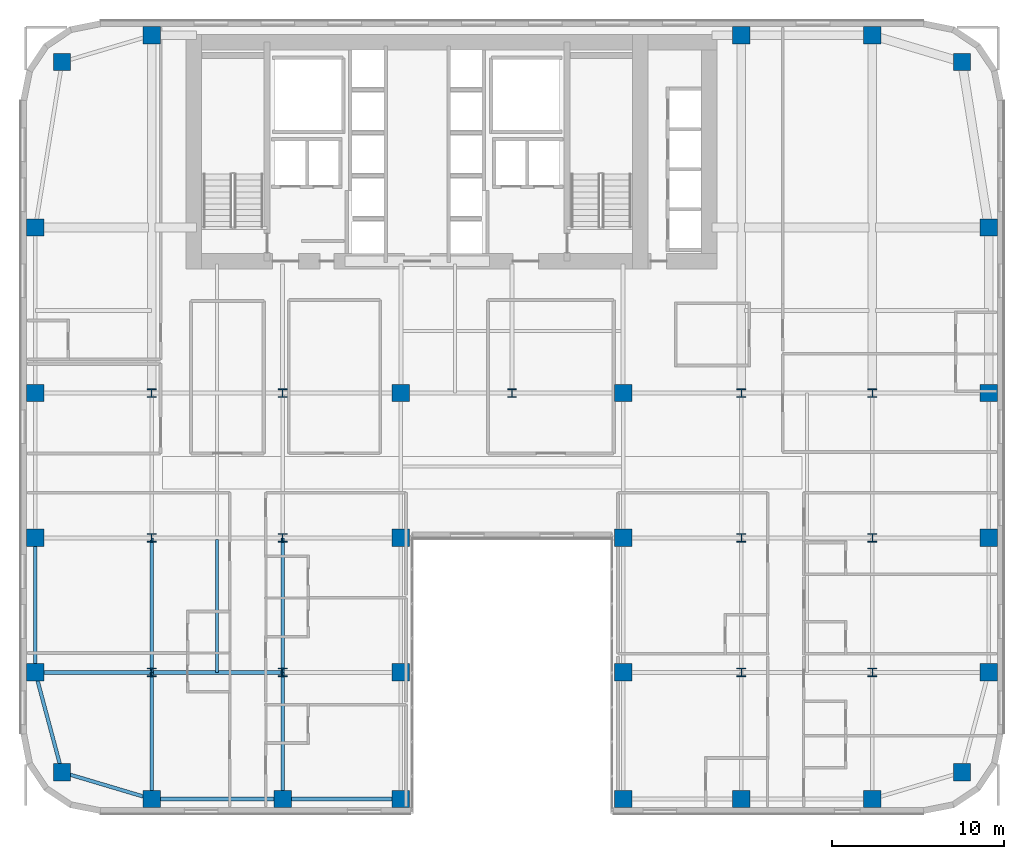
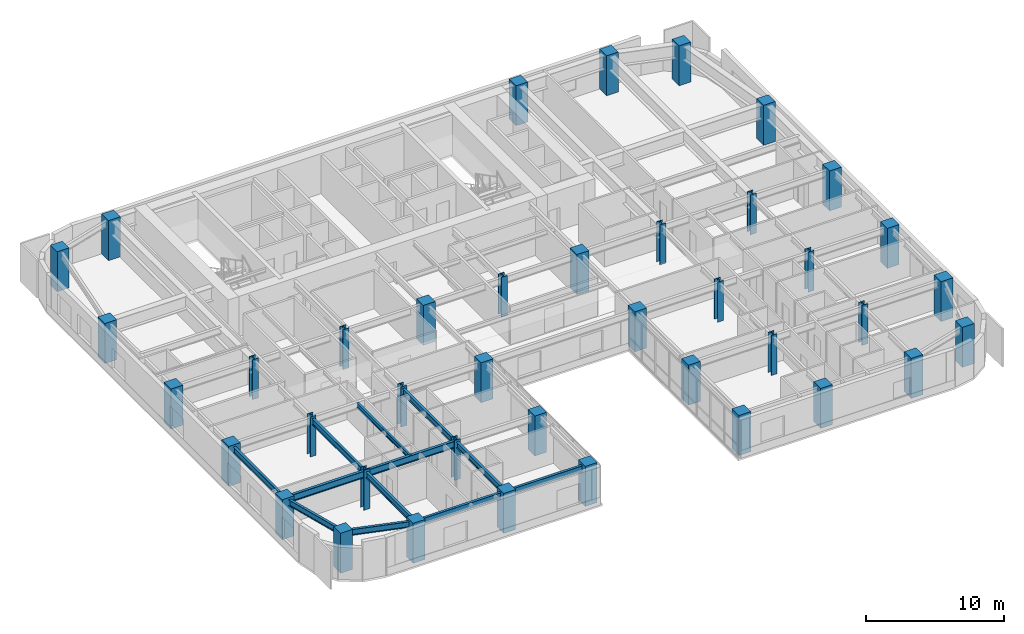
# One storey, part 1 of 24: 40 columns, 12 beams.
"""IFC4 building model written with IfcOpenShell, lengths in metres."""

from ifc_helpers import new_model, si_unit, direction, frame, origin, origin_2d, place, context, subcontext, project, spatial, rectangle, i_section, extrude, source, transform, mapped, material, material_profile, profile_set, type_object, type_shapes, element, save


model = new_model("IFC4")

# Units and contexts
model_context = context("Model", 3, precision=1e-05, world=origin(), true_north=direction((0.0, 1.0)))
body_context = subcontext(model_context, "Body", "Model", "MODEL_VIEW")
ifc_project = project(units=[si_unit("LENGTHUNIT", "METRE"), si_unit("AREAUNIT", "SQUARE_METRE"), si_unit("VOLUMEUNIT", "CUBIC_METRE"), si_unit("PLANEANGLEUNIT", "RADIAN"), si_unit("MASSUNIT", "GRAM", prefix="KILO")], contexts=[model_context])

# Site, building, storey
site_placement = place(None, origin())
site = spatial("IfcSite", under=ifc_project, at=site_placement, CompositionType="ELEMENT")
building_placement = place(site_placement, origin())
building = spatial("IfcBuilding", under=site, at=building_placement, Name="Tolvann Quenvar Hotel", CompositionType="ELEMENT")
storey_placement = place(building_placement, frame((0.0, 0.0, 67.5)))
storey = spatial("IfcBuildingStorey", under=building, at=storey_placement, Name="L16", CompositionType="ELEMENT", Elevation=67.5)

# Columns
ifc_material_1 = material(Name="Concrete S65 (65 MPa)", Category="concrete")
ifc_material_profile_1 = material_profile(ifc_material_1, rectangle(XDim=1.0, YDim=1.0, at=origin_2d()), Name="RC1000x1000")
ifc_profile_set_1 = profile_set([ifc_material_profile_1], Name="Concrete S65 (65 MPa)")
column_type_1 = type_object("IfcColumnType", Name="COL_RC1000", PredefinedType="COLUMN", material=ifc_profile_set_1)
shared_shape_1 = source(origin(), body_context, "Body", "SweptSolid", [
    extrude(rectangle(XDim=1.0, YDim=1.0, at=origin_2d()), origin(), (0.0, 0.0, 1.0), 3.550048828125),
])
type_shapes(column_type_1, [shared_shape_1])
for number, where, z_axis, x_axis, name in (
    (1, (2.39990234375, 2.39990234375, 0.0), (0.0, 0.0, 1.0), (1.0, 0.0, 0.0), "Column B2 (L16)"),
    (2, (0.85009765625, 8.199951171875, 0.0), (0.0, 0.0, 1.0), (1.0, 0.0, 0.0), "Column B3 (L16)"),
    (3, (0.85009765625, 16.0, 0.0), (0.0, 0.0, 1.0), (1.0, 0.0, 0.0), "Column B4 (L16)"),
    (4, (0.85009765625, 24.39990234375, 0.0), (0.0, 0.0, 1.0), (1.0, 0.0, 0.0), "Column B5 (L16)"),
    (5, (7.60009765625, 0.85009765625, 0.0), (0.0, 0.0, 1.0), (1.0, 0.0, 0.0), "Column C2 (L16)"),
    (6, (15.199951171875, 0.85009765625, 0.0), (0.0, 0.0, 1.0), (1.0, 0.0, 0.0), "Column D2 (L16)"),
    (7, (22.050048828125, 0.85009765625, 0.0), (0.0, 0.0, 1.0), (1.0, 0.0, 0.0), "Column E2 (L16)"),
    (8, (22.050048828125, 8.199951171875, 0.0), (0.0, 0.0, 1.0), (1.0, 0.0, 0.0), "Column E3 (L16)"),
    (9, (22.050048828125, 16.0, 0.0), (0.0, 0.0, 1.0), (1.0, 0.0, 0.0), "Column E4 (L16)"),
    (10, (22.050048828125, 24.39990234375, 0.0), (0.0, 0.0, 1.0), (1.0, 0.0, 0.0), "Column E5 (L16)"),
    (11, (34.949951171875, 0.85009765625, 0.0), (0.0, 0.0, 1.0), (1.0, 0.0, 0.0), "Column F2 (L16)"),
    (12, (34.949951171875, 8.199951171875, 0.0), (0.0, 0.0, 1.0), (1.0, 0.0, 0.0), "Column F3 (L16)"),
    (13, (34.949951171875, 16.0, 0.0), (0.0, 0.0, 1.0), (1.0, 0.0, 0.0), "Column F4 (L16)"),
    (14, (34.949951171875, 24.39990234375, 0.0), (0.0, 0.0, 1.0), (1.0, 0.0, 0.0), "Column F5 (L16)"),
    (15, (41.800048828125, 0.85009765625, 0.0), (0.0, 0.0, 1.0), (1.0, 0.0, 0.0), "Column H2 (L16)"),
    (16, (49.39990234375, 0.85009765625, 0.0), (0.0, 0.0, 1.0), (1.0, 0.0, 0.0), "Column I2 (L16)"),
    (17, (54.60009765625, 2.39990234375, 0.0), (0.0, 0.0, 1.0), (1.0, 0.0, 0.0), "Column J2 (L16)"),
    (18, (56.14990234375, 8.199951171875, 0.0), (0.0, 0.0, 1.0), (1.0, 0.0, 0.0), "Column J3 (L16)"),
    (19, (56.14990234375, 16.0, 0.0), (0.0, 0.0, 1.0), (1.0, 0.0, 0.0), "Column J4 (L16)"),
    (20, (56.14990234375, 24.39990234375, 0.0), (0.0, 0.0, 1.0), (1.0, 0.0, 0.0), "Column J5 (L16)"),
    (21, (2.39990234375, 43.60009765625, 0.0), (0.0, 0.0, 1.0), (1.0, 0.0, 0.0), "Column BN (L16)"),
    (22, (7.60009765625, 45.14990234375, 0.0), (0.0, 0.0, 1.0), (1.0, 0.0, 0.0), "Column CN (L16)"),
    (23, (0.85009765625, 34.0, 0.0), (0.0, 0.0, 1.0), (1.0, 0.0, 0.0), "Column BD6 (L16)"),
    (24, (41.800048828125, 45.14990234375, 0.0), (0.0, 0.0, 1.0), (1.0, 0.0, 0.0), "Column HN (L16)"),
    (25, (49.39990234375, 45.14990234375, 0.0), (0.0, 0.0, 1.0), (1.0, 0.0, 0.0), "Column IN (L16)"),
    (26, (54.60009765625, 43.60009765625, 0.0), (0.0, 0.0, 1.0), (1.0, 0.0, 0.0), "Column JN (L16)"),
    (27, (56.14990234375, 34.0, 0.0), (0.0, 0.0, 1.0), (1.0, 0.0, 0.0), "Column JD6 (L16)"),
):
    element("IfcColumn", number, at=place(storey_placement, frame(where, z_axis=z_axis, x_axis=x_axis)), inside=storey, type_object=column_type_1, Name=name, PredefinedType="COLUMN", context=body_context, shape_type="MappedRepresentation", body=[
        mapped(shared_shape_1, transform((0.0, 0.0, 0.0), x_axis=(1.0, 0.0, 0.0), y_axis=(0.0, 1.0, 0.0), z_axis=(0.0, 0.0, 1.0), scale=1.0)),
    ])
ifc_material_2 = material(Name="Steel Grade 350", Category="steel")
ifc_material_profile_2 = material_profile(ifc_material_2, i_section(OverallWidth=0.5, OverallDepth=0.5, WebThickness=0.028076171875, FlangeThickness=0.044921875, at=origin_2d()), Name="500WC440")
ifc_profile_set_2 = profile_set([ifc_material_profile_2], Name="Steel Grade 350")
column_type_2 = type_object("IfcColumnType", Name="COL_500WC440", PredefinedType="COLUMN", material=ifc_profile_set_2)
shared_shape_2 = source(origin(), body_context, "Body", "SweptSolid", [
    extrude(i_section(OverallWidth=0.5, OverallDepth=0.5, WebThickness=0.028076171875, FlangeThickness=0.044921875, at=origin_2d()), origin(), (0.0, 0.0, 1.0), 3.550048828125),
])
type_shapes(column_type_2, [shared_shape_2])
for number, where, z_axis, x_axis, name in (
    (28, (7.60009765625, 8.199951171875, 0.0), (0.0, 0.0, 1.0), (1.0, 0.0, 0.0), "Column C3 (L16)"),
    (29, (7.60009765625, 16.0, 0.0), (0.0, 0.0, 1.0), (1.0, 0.0, 0.0), "Column C4 (L16)"),
    (30, (7.60009765625, 24.39990234375, 0.0), (0.0, 0.0, 1.0), (1.0, 0.0, 0.0), "Column C5 (L16)"),
    (31, (15.199951171875, 8.199951171875, 0.0), (0.0, 0.0, 1.0), (1.0, 0.0, 0.0), "Column D3 (L16)"),
    (32, (15.199951171875, 16.0, 0.0), (0.0, 0.0, 1.0), (1.0, 0.0, 0.0), "Column D4 (L16)"),
    (33, (15.199951171875, 24.39990234375, 0.0), (0.0, 0.0, 1.0), (1.0, 0.0, 0.0), "Column D5 (L16)"),
    (34, (41.800048828125, 8.199951171875, 0.0), (0.0, 0.0, 1.0), (1.0, 0.0, 0.0), "Column H3 (L16)"),
    (35, (41.800048828125, 16.0, 0.0), (0.0, 0.0, 1.0), (1.0, 0.0, 0.0), "Column H4 (L16)"),
    (36, (41.800048828125, 24.39990234375, 0.0), (0.0, 0.0, 1.0), (1.0, 0.0, 0.0), "Column H5 (L16)"),
    (37, (49.39990234375, 8.199951171875, 0.0), (0.0, 0.0, 1.0), (1.0, 0.0, 0.0), "Column I3 (L16)"),
    (38, (49.39990234375, 16.0, 0.0), (0.0, 0.0, 1.0), (1.0, 0.0, 0.0), "Column I4 (L16)"),
    (39, (49.39990234375, 24.39990234375, 0.0), (0.0, 0.0, 1.0), (1.0, 0.0, 0.0), "Column I5 (L16)"),
    (40, (28.5, 24.39990234375, 0.0), (0.0, 0.0, 1.0), (1.0, 0.0, 0.0), "Column M5 (L16)"),
):
    element("IfcColumn", number, at=place(storey_placement, frame(where, z_axis=z_axis, x_axis=x_axis)), inside=storey, type_object=column_type_2, Name=name, PredefinedType="COLUMN", context=body_context, shape_type="MappedRepresentation", body=[
        mapped(shared_shape_2, transform((0.0, 0.0, 0.0), x_axis=(1.0, 0.0, 0.0), y_axis=(0.0, 1.0, 0.0), z_axis=(0.0, 0.0, 1.0), scale=1.0)),
    ])

# Beams
ifc_material_profile_3 = material_profile(ifc_material_2, i_section(OverallWidth=0.208984375, OverallDepth=0.528076171875, WebThickness=0.009521484375, FlangeThickness=0.01318359375, FilletRadius=0.013916015625, at=origin_2d()), Name="530UB82")
ifc_profile_set_3 = profile_set([ifc_material_profile_3], Name="Steel Grade 350")
beam_type_1 = type_object("IfcBeamType", Name="BM_SPAND_530UB82", PredefinedType="SPANDREL", material=ifc_profile_set_3)
shared_shape_3 = source(origin(), body_context, "Body", "SweptSolid", [
    extrude(i_section(OverallWidth=0.208984375, OverallDepth=0.528076171875, WebThickness=0.009521484375, FlangeThickness=0.01318359375, FilletRadius=0.013916015625, at=origin_2d()), origin(), (0.0, 0.0, 1.0), 5.42626953125),
])
beam_1_placement = place(storey_placement, frame((2.39990234375, 2.39990234375, 3.10595703125), z_axis=(0.958344815522, -0.285613750654, 0.0), x_axis=(0.285613750654, 0.958344815522, 0.0)))
element("IfcBeam", 41, at=beam_1_placement, inside=storey, type_object=beam_type_1, Name="BM-L16-EW-2-B2-C2", PredefinedType="SPANDREL", context=body_context, shape_type="MappedRepresentation", body=[
    mapped(shared_shape_3, transform((0.0, 0.0, 0.0), x_axis=(1.0, 0.0, 0.0), y_axis=(0.0, 1.0, 0.0), z_axis=(0.0, 0.0, 1.0), scale=1.0)),
])
shared_shape_4 = source(origin(), body_context, "Body", "SweptSolid", [
    extrude(i_section(OverallWidth=0.208984375, OverallDepth=0.528076171875, WebThickness=0.009521484375, FlangeThickness=0.01318359375, FilletRadius=0.013916015625, at=origin_2d()), origin(), (0.0, 0.0, 1.0), 7.599853515625),
])
beam_2_placement = place(storey_placement, frame((7.60009765625, 0.85009765625, 3.10595703125), z_axis=(1.0, 0.0, 0.0), x_axis=(0.0, 1.0, 0.0)))
element("IfcBeam", 42, at=beam_2_placement, inside=storey, type_object=beam_type_1, Name="BM-L16-EW-2-C2-D2", PredefinedType="SPANDREL", context=body_context, shape_type="MappedRepresentation", body=[
    mapped(shared_shape_4, transform((0.0, 0.0, 0.0), x_axis=(1.0, 0.0, 0.0), y_axis=(0.0, 1.0, 0.0), z_axis=(0.0, 0.0, 1.0), scale=1.0)),
])
shared_shape_5 = source(origin(), body_context, "Body", "SweptSolid", [
    extrude(i_section(OverallWidth=0.208984375, OverallDepth=0.528076171875, WebThickness=0.009521484375, FlangeThickness=0.01318359375, FilletRadius=0.013916015625, at=origin_2d()), origin(), (0.0, 0.0, 1.0), 6.85009765625),
])
beam_3_placement = place(storey_placement, frame((15.199951171875, 0.85009765625, 3.10595703125), z_axis=(1.0, 0.0, 0.0), x_axis=(0.0, 1.0, 0.0)))
element("IfcBeam", 43, at=beam_3_placement, inside=storey, type_object=beam_type_1, Name="BM-L16-EW-2-D2-E2", PredefinedType="SPANDREL", context=body_context, shape_type="MappedRepresentation", body=[
    mapped(shared_shape_5, transform((0.0, 0.0, 0.0), x_axis=(1.0, 0.0, 0.0), y_axis=(0.0, 1.0, 0.0), z_axis=(0.0, 0.0, 1.0), scale=1.0)),
])
ifc_material_profile_4 = material_profile(ifc_material_2, i_section(OverallWidth=0.22900390625, OverallDepth=0.612060546875, WebThickness=0.011962890625, FlangeThickness=0.01953125, FilletRadius=0.013916015625, at=origin_2d()), Name="610UB125")
ifc_profile_set_4 = profile_set([ifc_material_profile_4], Name="Steel Grade 350")
beam_type_2 = type_object("IfcBeamType", Name="BM_GIRD_610UB125", PredefinedType="BEAM", material=ifc_profile_set_4)
shared_shape_6 = source(origin(), body_context, "Body", "SweptSolid", [
    extrude(i_section(OverallWidth=0.22900390625, OverallDepth=0.612060546875, WebThickness=0.011962890625, FlangeThickness=0.01953125, FilletRadius=0.013916015625, at=origin_2d()), origin(), (0.0, 0.0, 1.0), 6.75),
])
beam_4_placement = place(storey_placement, frame((0.85009765625, 8.199951171875, 3.06396484375), z_axis=(1.0, 0.0, 0.0), x_axis=(0.0, 1.0, 0.0)))
element("IfcBeam", 44, at=beam_4_placement, inside=storey, type_object=beam_type_2, Name="BM-L16-EW-3-B3-C3", PredefinedType="BEAM", context=body_context, shape_type="MappedRepresentation", body=[
    mapped(shared_shape_6, transform((0.0, 0.0, 0.0), x_axis=(1.0, 0.0, 0.0), y_axis=(0.0, 1.0, 0.0), z_axis=(0.0, 0.0, 1.0), scale=1.0)),
])
shared_shape_7 = source(origin(), body_context, "Body", "SweptSolid", [
    extrude(i_section(OverallWidth=0.22900390625, OverallDepth=0.612060546875, WebThickness=0.011962890625, FlangeThickness=0.01953125, FilletRadius=0.013916015625, at=origin_2d()), origin(), (0.0, 0.0, 1.0), 7.599853515625),
])
type_shapes(beam_type_2, [shared_shape_6, shared_shape_7])
beam_5_placement = place(storey_placement, frame((7.60009765625, 8.199951171875, 3.06396484375), z_axis=(1.0, 0.0, 0.0), x_axis=(0.0, 1.0, 0.0)))
element("IfcBeam", 45, at=beam_5_placement, inside=storey, type_object=beam_type_2, Name="BM-L16-EW-3-C3-D3", PredefinedType="BEAM", context=body_context, shape_type="MappedRepresentation", body=[
    mapped(shared_shape_7, transform((0.0, 0.0, 0.0), x_axis=(1.0, 0.0, 0.0), y_axis=(0.0, 1.0, 0.0), z_axis=(0.0, 0.0, 1.0), scale=1.0)),
])
shared_shape_8 = source(origin(), body_context, "Body", "SweptSolid", [
    extrude(i_section(OverallWidth=0.208984375, OverallDepth=0.528076171875, WebThickness=0.009521484375, FlangeThickness=0.01318359375, FilletRadius=0.013916015625, at=origin_2d()), origin(), (0.0, 0.0, 1.0), 6.00341796875),
])
beam_6_placement = place(storey_placement, frame((2.39990234375, 2.39990234375, 3.10595703125), z_axis=(-0.258148586649, 0.966105225745, 0.0), x_axis=(-0.966105225745, -0.258148586649, 0.0)))
element("IfcBeam", 46, at=beam_6_placement, inside=storey, type_object=beam_type_1, Name="BM-L16-NS-B2-B3", PredefinedType="SPANDREL", context=body_context, shape_type="MappedRepresentation", body=[
    mapped(shared_shape_8, transform((0.0, 0.0, 0.0), x_axis=(1.0, 0.0, 0.0), y_axis=(0.0, 1.0, 0.0), z_axis=(0.0, 0.0, 1.0), scale=1.0)),
])
shared_shape_9 = source(origin(), body_context, "Body", "SweptSolid", [
    extrude(i_section(OverallWidth=0.208984375, OverallDepth=0.528076171875, WebThickness=0.009521484375, FlangeThickness=0.01318359375, FilletRadius=0.013916015625, at=origin_2d()), origin(), (0.0, 0.0, 1.0), 7.800048828125),
])
type_shapes(beam_type_1, [shared_shape_3, shared_shape_4, shared_shape_5, shared_shape_8, shared_shape_9])
beam_7_placement = place(storey_placement, frame((0.85009765625, 8.199951171875, 3.10595703125), z_axis=(0.0, 1.0, 0.0), x_axis=(-1.0, 0.0, 0.0)))
element("IfcBeam", 47, at=beam_7_placement, inside=storey, type_object=beam_type_1, Name="BM-L16-NS-B3-B4", PredefinedType="SPANDREL", context=body_context, shape_type="MappedRepresentation", body=[
    mapped(shared_shape_9, transform((0.0, 0.0, 0.0), x_axis=(1.0, 0.0, 0.0), y_axis=(0.0, 1.0, 0.0), z_axis=(0.0, 0.0, 1.0), scale=1.0)),
])
ifc_material_profile_5 = material_profile(ifc_material_2, i_section(OverallWidth=0.208984375, OverallDepth=0.532958984375, WebThickness=0.01025390625, FlangeThickness=0.015625, FilletRadius=0.013916015625, at=origin_2d()), Name="530UB92")
ifc_profile_set_5 = profile_set([ifc_material_profile_5], Name="Steel Grade 350")
beam_type_3 = type_object("IfcBeamType", Name="BM_GIRD_530UB92", PredefinedType="BEAM", material=ifc_profile_set_5)
shared_shape_10 = source(origin(), body_context, "Body", "SweptSolid", [
    extrude(i_section(OverallWidth=0.208984375, OverallDepth=0.532958984375, WebThickness=0.01025390625, FlangeThickness=0.015625, FilletRadius=0.013916015625, at=origin_2d()), origin(), (0.0, 0.0, 1.0), 7.349853515625),
])
for number, where, z_axis, x_axis, name in (
    (48, (7.60009765625, 0.85009765625, 3.103515625), (0.0, 1.0, 0.0), (-1.0, 0.0, 0.0), "BM-L16-NS-C2-C3"),
    (49, (15.199951171875, 0.85009765625, 3.103515625), (0.0, 1.0, 0.0), (-1.0, 0.0, 0.0), "BM-L16-NS-D2-D3"),
):
    element("IfcBeam", number, at=place(storey_placement, frame(where, z_axis=z_axis, x_axis=x_axis)), inside=storey, type_object=beam_type_3, Name=name, PredefinedType="BEAM", context=body_context, shape_type="MappedRepresentation", body=[
        mapped(shared_shape_10, transform((0.0, 0.0, 0.0), x_axis=(1.0, 0.0, 0.0), y_axis=(0.0, 1.0, 0.0), z_axis=(0.0, 0.0, 1.0), scale=1.0)),
    ])
shared_shape_11 = source(origin(), body_context, "Body", "SweptSolid", [
    extrude(i_section(OverallWidth=0.208984375, OverallDepth=0.532958984375, WebThickness=0.01025390625, FlangeThickness=0.015625, FilletRadius=0.013916015625, at=origin_2d()), origin(), (0.0, 0.0, 1.0), 7.800048828125),
])
type_shapes(beam_type_3, [shared_shape_10, shared_shape_11])
for number, where, z_axis, x_axis, name in (
    (50, (7.60009765625, 8.199951171875, 3.103515625), (0.0, 1.0, 0.0), (-1.0, 0.0, 0.0), "BM-L16-NS-C3-C4"),
    (51, (15.199951171875, 8.199951171875, 3.103515625), (0.0, 1.0, 0.0), (-1.0, 0.0, 0.0), "BM-L16-NS-D3-D4"),
):
    element("IfcBeam", number, at=place(storey_placement, frame(where, z_axis=z_axis, x_axis=x_axis)), inside=storey, type_object=beam_type_3, Name=name, PredefinedType="BEAM", context=body_context, shape_type="MappedRepresentation", body=[
        mapped(shared_shape_11, transform((0.0, 0.0, 0.0), x_axis=(1.0, 0.0, 0.0), y_axis=(0.0, 1.0, 0.0), z_axis=(0.0, 0.0, 1.0), scale=1.0)),
    ])
ifc_material_profile_6 = material_profile(ifc_material_2, i_section(OverallWidth=0.177978515625, OverallDepth=0.406005859375, WebThickness=0.0078125, FlangeThickness=0.0126953125, FilletRadius=0.011474609375, at=origin_2d()), Name="410UB60")
ifc_profile_set_6 = profile_set([ifc_material_profile_6], Name="Steel Grade 350")
beam_type_4 = type_object("IfcBeamType", Name="BM_JOIST_410UB60", PredefinedType="JOIST", material=ifc_profile_set_6)
shared_shape_12 = source(origin(), body_context, "Body", "SweptSolid", [
    extrude(i_section(OverallWidth=0.177978515625, OverallDepth=0.406005859375, WebThickness=0.0078125, FlangeThickness=0.0126953125, FilletRadius=0.011474609375, at=origin_2d()), origin(), (0.0, 0.0, 1.0), 7.691650390625),
])
type_shapes(beam_type_4, [shared_shape_12])
beam_8_placement = place(storey_placement, frame((11.39990234375, 8.199951171875, 3.1669921875), z_axis=(0.0, 1.0, 0.0), x_axis=(-1.0, 0.0, 0.0)))
element("IfcBeam", 52, at=beam_8_placement, inside=storey, type_object=beam_type_4, Name="BJ-L16-114-82", PredefinedType="JOIST", context=body_context, shape_type="MappedRepresentation", body=[
    mapped(shared_shape_12, transform((0.0, 0.0, 0.0), x_axis=(1.0, 0.0, 0.0), y_axis=(0.0, 1.0, 0.0), z_axis=(0.0, 0.0, 1.0), scale=1.0)),
])

save(model, "model.ifc")
